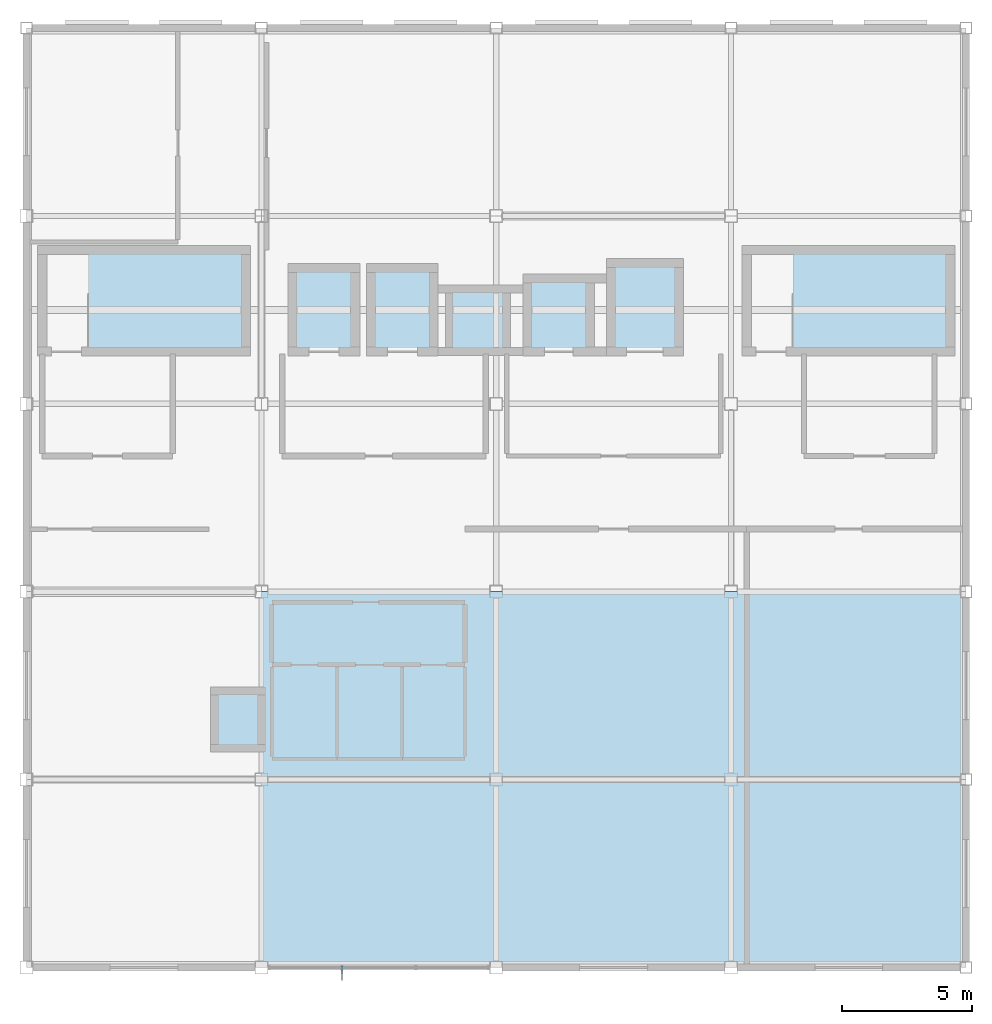
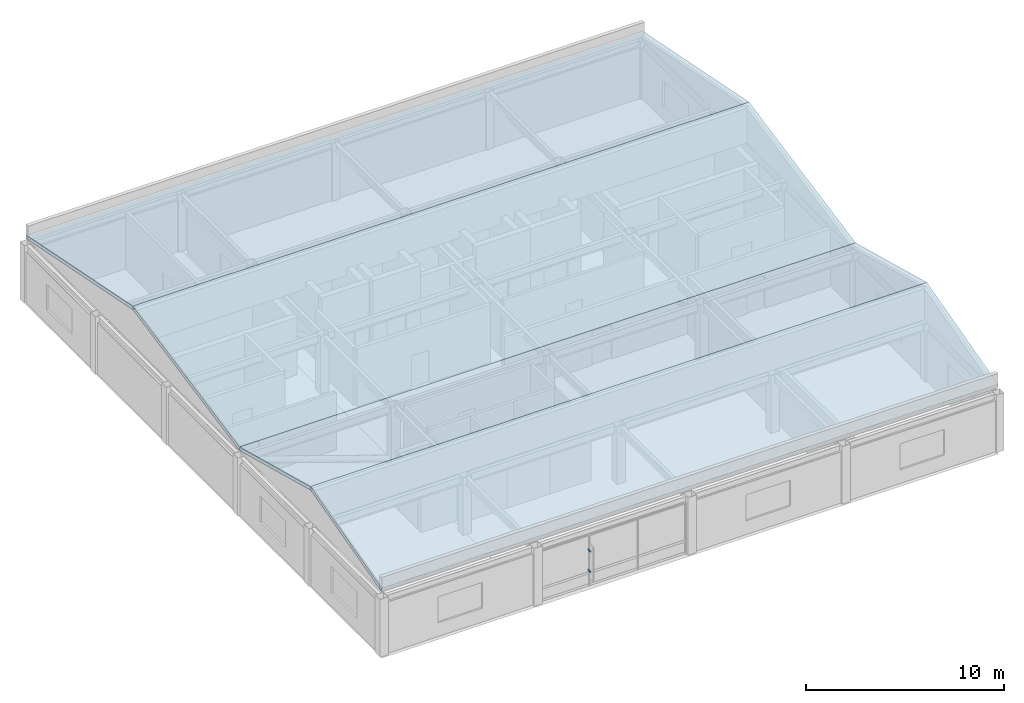
# One storey, part 8 of 9: 4 roofs, 2 discrete accessories.
"""IFC4 building model written with IfcOpenShell, lengths in metres."""

from ifc_helpers import new_model, si_unit, direction, frame, origin, origin_2d, place, context, subcontext, project, spatial, polyline, rectangle, outline, extrude, material, layer, layer_set, type_object, element, save


model = new_model("IFC4")

# Units and contexts
model_context = context("Model", 3, precision=1e-05, world=origin(), true_north=direction((0.0, 1.0)))
body_context = subcontext(model_context, "Body", "Model", "MODEL_VIEW")
ifc_project = project(units=[si_unit("LENGTHUNIT", "METRE"), si_unit("AREAUNIT", "SQUARE_METRE"), si_unit("VOLUMEUNIT", "CUBIC_METRE"), si_unit("PLANEANGLEUNIT", "RADIAN"), si_unit("MASSUNIT", "GRAM", prefix="KILO")], contexts=[model_context])

# Site, building, storey
site_placement = place(None, origin())
site = spatial("IfcSite", under=ifc_project, at=site_placement, CompositionType="ELEMENT")
building_placement = place(site_placement, origin())
building = spatial("IfcBuilding", under=site, at=building_placement, Name="Kazanami Central Library", CompositionType="ELEMENT")
storey_placement = place(building_placement, frame((0.0, 0.0, 31.39990234375)))
storey = spatial("IfcBuildingStorey", under=building, at=storey_placement, Name="L09", CompositionType="ELEMENT", Elevation=31.39990234375)

# Roofs
ifc_material_1 = material(Name="Standing-Seam Titanium Zinc")
ifc_layer = layer(ifc_material_1, 0.219970703125, Name="Standing-Seam Titanium Zinc")
ifc_layer_set = layer_set([ifc_layer], Name="Standing-Seam Titanium Zinc")
roof_type = type_object("IfcRoofType", Name="ROOF-RF-G1", PredefinedType="GABLE_ROOF", material=ifc_layer_set)
for number, where, z_axis, x_axis, name in (
    (1, (126.0, 57.60009765625, 4.02783203125), (0.0, -0.257654493589, 0.966237114757), (1.0, 0.0, 0.0), "Pitched Preservation Gable Roof South GAB-L09-V2-S"),
    (2, (162.0, 72.0, 4.02783203125), (0.0, 0.257654493589, 0.966237114757), (-1.0, 0.0, 0.0), "Pitched Preservation Gable Roof North GAB-L09-V2-S"),
):
    element("IfcRoof", number, at=place(storey_placement, frame(where, z_axis=z_axis, x_axis=x_axis)), inside=storey, type_object=roof_type, Name=name, PredefinedType="GABLE_ROOF", context=body_context, shape_type="SweptSolid", body=[
        extrude(outline(polyline([(0.0, 0.0), (36.0, 0.0), (36.0, 7.451536545135351), (0.0, 7.451536545135351), (0.0, 0.0)])), origin(), (0.0, 0.0, -1.0), 0.219970703125),
    ])
for number, where, z_axis, x_axis, name in (
    (3, (126.0, 72.0, 4.0244140625), (0.0, -0.195233498919, 0.980756789882), (1.0, 0.0, 0.0), "Pitched Preservation Gable Roof South GAB-L09-V2-N"),
    (4, (162.0, 93.60009765625, 4.0244140625), (0.0, 0.195233498919, 0.980756789882), (-1.0, 0.0, 0.0), "Pitched Preservation Gable Roof North GAB-L09-V2-N"),
):
    element("IfcRoof", number, at=place(storey_placement, frame(where, z_axis=z_axis, x_axis=x_axis)), inside=storey, type_object=roof_type, Name=name, PredefinedType="GABLE_ROOF", context=body_context, shape_type="SweptSolid", body=[
        extrude(outline(polyline([(0.0, 0.0), (36.0, 0.0), (36.0, 11.0119541761463), (0.0, 11.0119541761463), (0.0, 0.0)])), origin(), (0.0, 0.0, -1.0), 0.219970703125),
    ])

# Discrete accessories
ifc_material_2 = material(Name="Stainless Steel SUS304", Category="steel")
discrete_accessory_type = type_object("IfcDiscreteAccessoryType", Name="ACC-BRK-1", PredefinedType="BRACKET", material=ifc_material_2)
for number, where, z_axis, x_axis, name in (
    (5, (138.083251953125, 57.510009765625, 0.91015625), (0.0, 0.0, 1.0), (1.0, 0.0, 0.0), "Solar Fin Outrigger Bracket L09 S-J-15.1.1"),
    (6, (138.083251953125, 57.510009765625, 2.170166015625), (0.0, 0.0, 1.0), (1.0, 0.0, 0.0), "Solar Fin Outrigger Bracket L09 S-J-15.1.2"),
):
    element("IfcDiscreteAccessory", number, at=place(storey_placement, frame(where, z_axis=z_axis, x_axis=x_axis)), inside=storey, type_object=discrete_accessory_type, Name=name, PredefinedType="BRACKET", context=body_context, shape_type="SweptSolid", body=[
        extrude(rectangle(XDim=0.080078125, YDim=0.280029296875, at=origin_2d()), origin(), (0.0, 0.0, 1.0), 0.080078125),
    ])

save(model, "model.ifc")
